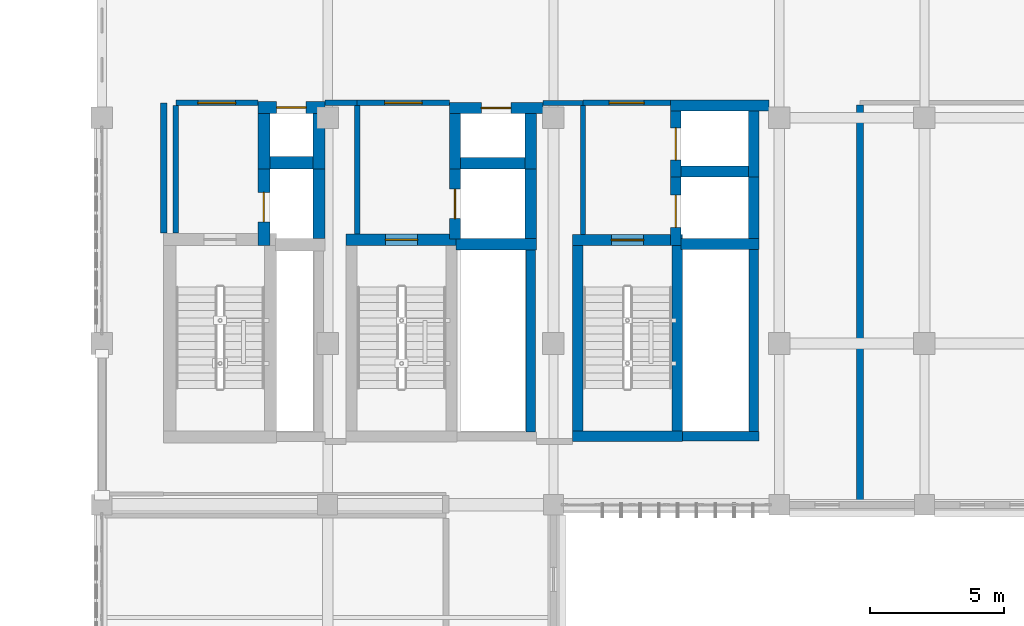
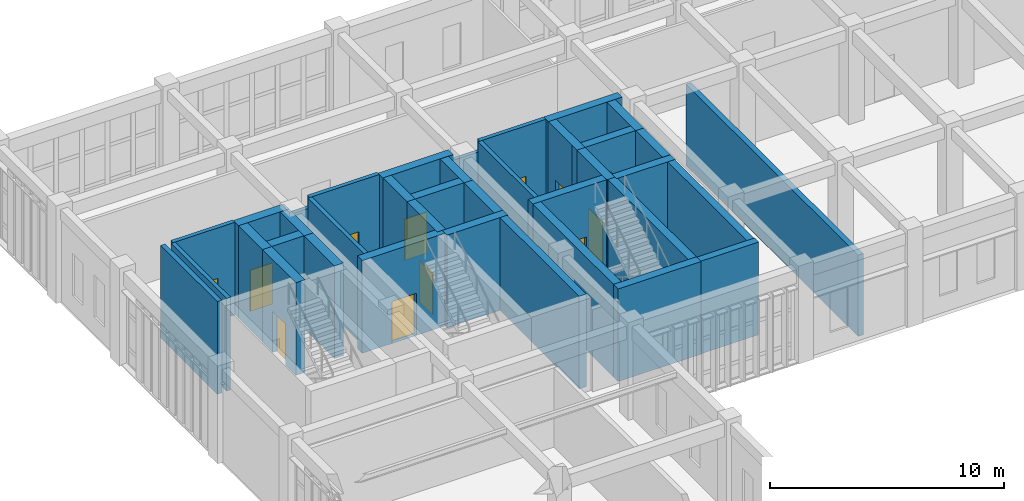
# One storey, part 67 of 77: 38 walls, 11 doors, 11 openings.
"""IFC4 building model written with IfcOpenShell, lengths in metres."""

from ifc_helpers import new_model, si_unit, direction, frame, frame_2d, origin, place, context, subcontext, project, spatial, rectangle, extrude, material, layer, layer_set, type_object, element, fill, save


model = new_model("IFC4")

# Units and contexts
model_context = context("Model", 3, precision=1e-05, world=origin(), true_north=direction((0.0, 1.0)))
body_context = subcontext(model_context, "Body", "Model", "MODEL_VIEW")
ifc_project = project(units=[si_unit("LENGTHUNIT", "METRE"), si_unit("AREAUNIT", "SQUARE_METRE"), si_unit("VOLUMEUNIT", "CUBIC_METRE"), si_unit("PLANEANGLEUNIT", "RADIAN"), si_unit("MASSUNIT", "GRAM", prefix="KILO")], contexts=[model_context])

# Site, building, storey
site_placement = place(None, origin())
site = spatial("IfcSite", under=ifc_project, at=site_placement, CompositionType="ELEMENT")
building_placement = place(site_placement, origin())
building = spatial("IfcBuilding", under=site, at=building_placement, Name="Krzemoval Escarpment Law Courts", CompositionType="ELEMENT")
storey_placement = place(building_placement, frame((0.0, 0.0, 15.300048828125)))
storey = spatial("IfcBuildingStorey", under=building, at=storey_placement, Name="L03", CompositionType="ELEMENT", Elevation=15.300048828125)

# Wall
ifc_material_1 = material(Name="Judicial Chambers Acoustic Partition", Category="gypsum")
ifc_layer_1 = layer(ifc_material_1, 0.179931640625)
ifc_layer_set_1 = layer_set([ifc_layer_1], Name="Judicial Chambers Acoustic Partition")
wall_type_1 = type_object("IfcWallType", Name="WL-PRT-180", PredefinedType="PARTITIONING", material=ifc_layer_set_1)
wall_1_placement = place(storey_placement, frame((142.405029296875, 108.550048828125, 0.0), z_axis=(0.0, 0.0, 1.0), x_axis=(1.0, 0.0, 0.0)))
element("IfcWall", 1, at=wall_1_placement, inside=storey, type_object=wall_type_1, Name="Interior Partition PW-L03-0528", PredefinedType="PARTITIONING", context=body_context, shape_type="SweptSolid", body=[
    extrude(rectangle(XDim=1.494873046875, YDim=0.179931640625, at=frame_2d((0.74755859375, 0.0))), origin(), (0.0, 0.0, 1.0), 4.2900390625),
])

# Wall, opening, door
ifc_material_2 = material(Name="Fire-Rated Corridor Partition Wall", Category="gypsum")
ifc_layer_2 = layer(ifc_material_2, 0.199951171875)
ifc_layer_set_2 = layer_set([ifc_layer_2], Name="Fire-Rated Corridor Partition Wall")
wall_type_2 = type_object("IfcWallType", Name="WL-PRT-200", PredefinedType="PARTITIONING", material=ifc_layer_set_2)
wall_2_placement = place(storey_placement, frame((128.75, 108.550048828125, 0.0), z_axis=(0.0, 0.0, 1.0), x_axis=(1.0, 0.0, 0.0)))
wall_2 = element("IfcWall", 2, at=wall_2_placement, inside=storey, type_object=wall_type_2, Name="Interior Partition PW-L03-0524", PredefinedType="PARTITIONING", context=body_context, shape_type="SweptSolid", body=[
    extrude(rectangle(XDim=3.050048828125, YDim=0.199951171875, at=frame_2d((1.52490234375, 0.0))), origin(), (0.0, 0.0, 1.0), 4.83984375),
])
opening_1_placement = place(wall_2_placement, frame((0.824951171875, 0.0, 0.0)))
opening_1 = element("IfcOpeningElement", 3, at=opening_1_placement, cuts=wall_2, Name="Opening D-L03-0165", PredefinedType="OPENING", context=body_context, shape_type="SweptSolid", body=[
    extrude(rectangle(XDim=1.39990234375, YDim=2.199951171875, at=frame_2d((0.699951171875, 1.10009765625))), frame((0.0, 0.11498, 0.0), z_axis=(0.0, -1.0, 0.0), x_axis=(1.0, 0.0, 0.0)), (0.0, 0.0, 1.0), 0.22995),
])
ifc_material_3 = material(Name="Galvanised Steel S355", Category="steel")
door_type_1 = type_object("IfcDoorType", Name="DR-FFL-1400x2200", OperationType="SINGLE_SWING_LEFT", PredefinedType="DOOR", material=ifc_material_3)
door_1_placement = place(opening_1_placement, origin())
door_1 = element("IfcDoor", 4, at=door_1_placement, inside=storey, type_object=door_type_1, Name="Room Door D-L03-0165", OperationType="SINGLE_SWING_LEFT", OverallHeight=2.199951171875, OverallWidth=1.39990234375, PredefinedType="DOOR", context=body_context, shape_type="SweptSolid", body=[
    extrude(rectangle(XDim=1.39990234375, YDim=2.199951171875, at=frame_2d((0.699951171875, 1.10009765625))), frame((0.0, 0.02490234375, 0.0), z_axis=(0.0, -1.0, 0.0), x_axis=(1.0, 0.0, 0.0)), (0.0, 0.0, 1.0), 0.050048828125),
])
fill(opening_1, door_1)

wall_3_placement = place(storey_placement, frame((135.5, 108.550048828125, 0.0), z_axis=(0.0, 0.0, 1.0), x_axis=(1.0, 0.0, 0.0)))
wall_3 = element("IfcWall", 5, at=wall_3_placement, inside=storey, type_object=wall_type_2, Name="Interior Partition PW-L03-0525", PredefinedType="PARTITIONING", context=body_context, shape_type="SweptSolid", body=[
    extrude(rectangle(XDim=3.429931640625, YDim=0.199951171875, at=frame_2d((1.71484375, 0.0))), origin(), (0.0, 0.0, 1.0), 4.83984375),
])
opening_2_placement = place(wall_3_placement, frame((1.014892578125, 0.0, 0.0)))
opening_2 = element("IfcOpeningElement", 6, at=opening_2_placement, cuts=wall_3, Name="Opening D-L03-0166", PredefinedType="OPENING", context=body_context, shape_type="SweptSolid", body=[
    extrude(rectangle(XDim=1.39990234375, YDim=2.199951171875, at=frame_2d((0.699951171875, 1.10009765625))), frame((0.0, 0.11498, 0.0), z_axis=(0.0, -1.0, 0.0), x_axis=(1.0, 0.0, 0.0)), (0.0, 0.0, 1.0), 0.22995),
])
door_2_placement = place(opening_2_placement, origin())
door_2 = element("IfcDoor", 7, at=door_2_placement, inside=storey, type_object=door_type_1, Name="Room Door D-L03-0166", OperationType="SINGLE_SWING_LEFT", OverallHeight=2.199951171875, OverallWidth=1.39990234375, PredefinedType="DOOR", context=body_context, shape_type="SweptSolid", body=[
    extrude(rectangle(XDim=1.39990234375, YDim=2.199951171875, at=frame_2d((0.699951171875, 1.10009765625))), frame((0.0, 0.02490234375, 0.0), z_axis=(0.0, -1.0, 0.0), x_axis=(1.0, 0.0, 0.0)), (0.0, 0.0, 1.0), 0.050048828125),
])
fill(opening_2, door_2)

wall_4_placement = place(storey_placement, frame((143.89990234375, 108.550048828125, 0.0), z_axis=(0.0, 0.0, 1.0), x_axis=(1.0, 0.0, 0.0)))
wall_4 = element("IfcWall", 8, at=wall_4_placement, inside=storey, type_object=wall_type_2, Name="Interior Partition PW-L03-0526", PredefinedType="PARTITIONING", context=body_context, shape_type="SweptSolid", body=[
    extrude(rectangle(XDim=3.25, YDim=0.199951171875, at=frame_2d((1.625, 0.0))), origin(), (0.0, 0.0, 1.0), 4.83984375),
])
opening_3_placement = place(wall_4_placement, frame((0.97509765625, 0.0, 0.0)))
opening_3 = element("IfcOpeningElement", 9, at=opening_3_placement, cuts=wall_4, Name="Opening D-L03-0167", PredefinedType="OPENING", context=body_context, shape_type="SweptSolid", body=[
    extrude(rectangle(XDim=1.300048828125, YDim=2.199951171875, at=frame_2d((0.64990234375, 1.10009765625))), frame((0.0, 0.11498, 0.0), z_axis=(0.0, -1.0, 0.0), x_axis=(1.0, 0.0, 0.0)), (0.0, 0.0, 1.0), 0.22995),
])
ifc_material_4 = material(Name="Galvanised Steel S355", Category="steel")
door_type_2 = type_object("IfcDoorType", Name="DR-STR-1300x2200", OperationType="SINGLE_SWING_LEFT", PredefinedType="DOOR", material=ifc_material_4)
door_3_placement = place(opening_3_placement, origin())
door_3 = element("IfcDoor", 10, at=door_3_placement, inside=storey, type_object=door_type_2, Name="Room Door D-L03-0167", OperationType="SINGLE_SWING_RIGHT", OverallHeight=2.199951171875, OverallWidth=1.300048828125, PredefinedType="DOOR", context=body_context, shape_type="SweptSolid", body=[
    extrude(rectangle(XDim=1.300048828125, YDim=2.199951171875, at=frame_2d((0.64990234375, 1.10009765625))), frame((0.0, 0.02490234375, 0.0), z_axis=(0.0, -1.0, 0.0), x_axis=(1.0, 0.0, 0.0)), (0.0, 0.0, 1.0), 0.050048828125),
])
fill(opening_3, door_3)

# Walls
wall_5_placement = place(storey_placement, frame((134.300048828125, 108.550048828125, 0.0), z_axis=(0.0, 0.0, 1.0), x_axis=(1.0, 0.0, 0.0)))
element("IfcWall", 11, at=wall_5_placement, inside=storey, type_object=wall_type_2, Name="Interior Partition PW-L03-0527", PredefinedType="PARTITIONING", context=body_context, shape_type="SweptSolid", body=[
    extrude(rectangle(XDim=1.199951171875, YDim=0.199951171875, at=frame_2d((0.60009765625, 0.0))), origin(), (0.0, 0.0, 1.0), 4.2900390625),
])
wall_6_placement = place(storey_placement, frame((128.75, 103.701904296875, 0.0), z_axis=(0.0, 0.0, 1.0), x_axis=(0.0, 1.0, 0.0)))
element("IfcWall", 12, at=wall_6_placement, inside=storey, type_object=wall_type_2, Name="Interior Partition PW-L03-0578", PredefinedType="PARTITIONING", context=body_context, shape_type="SweptSolid", body=[
    extrude(rectangle(XDim=4.74609375, YDim=0.199951171875, at=frame_2d((2.373046875, 0.0))), origin(), (0.0, 0.0, 1.0), 4.83984375),
])
wall_7_placement = place(storey_placement, frame((135.5, 103.672119140625, 0.0), z_axis=(0.0, 0.0, 1.0), x_axis=(0.0, 1.0, 0.0)))
element("IfcWall", 13, at=wall_7_placement, inside=storey, type_object=wall_type_2, Name="Interior Partition PW-L03-0579", PredefinedType="PARTITIONING", context=body_context, shape_type="SweptSolid", body=[
    extrude(rectangle(XDim=4.77587890625, YDim=0.199951171875, at=frame_2d((2.387939453125, 0.0))), origin(), (0.0, 0.0, 1.0), 4.83984375),
])
wall_8_placement = place(storey_placement, frame((143.89990234375, 103.652099609375, 0.0), z_axis=(0.0, 0.0, 1.0), x_axis=(0.0, 1.0, 0.0)))
element("IfcWall", 14, at=wall_8_placement, inside=storey, type_object=wall_type_2, Name="Interior Partition PW-L03-0582", PredefinedType="PARTITIONING", context=body_context, shape_type="SweptSolid", body=[
    extrude(rectangle(XDim=4.7958984375, YDim=0.199951171875, at=frame_2d((2.39794921875, 0.0))), origin(), (0.0, 0.0, 1.0), 4.83984375),
])
ifc_material_5 = material(Name="Acoustic Calcium-Silicate Block Wall", Category="masonry")
ifc_layer_3 = layer(ifc_material_5, 0.22998046875)
ifc_layer_set_3 = layer_set([ifc_layer_3], Name="Acoustic Calcium-Silicate Block Wall")
wall_type_3 = type_object("IfcWallType", Name="WL-PRT-230", PredefinedType="SOLIDWALL", material=ifc_layer_set_3)
wall_9_placement = place(storey_placement, frame((128.300048828125, 103.701904296875, 0.0), z_axis=(0.0, 0.0, 1.0), x_axis=(0.0, 1.0, 0.0)))
element("IfcWall", 15, at=wall_9_placement, inside=storey, type_object=wall_type_3, Name="Interior Partition PW-L03-0577", PredefinedType="SOLIDWALL", context=body_context, shape_type="SweptSolid", body=[
    extrude(rectangle(XDim=4.84814453125, YDim=0.22998046875, at=frame_2d((2.424072265625, 0.0))), origin(), (0.0, 0.0, 1.0), 4.83984375),
])
ifc_material_6 = material(Name="Acoustic Double-Stud Gypsum and Mineral Wool Wall", Category="gypsum")
ifc_layer_4 = layer(ifc_material_6, 0.260009765625)
ifc_layer_set_4 = layer_set([ifc_layer_4], Name="Acoustic Double-Stud Gypsum and Mineral Wool Wall")
wall_type_4 = type_object("IfcWallType", Name="WL-PRT-260", PredefinedType="PARTITIONING", material=ifc_layer_set_4)
wall_10_placement = place(storey_placement, frame((154.199951171875, 93.73193359375, 0.0), z_axis=(0.0, 0.0, 1.0), x_axis=(0.0, 1.0, 0.0)))
element("IfcWall", 16, at=wall_10_placement, inside=storey, type_object=wall_type_4, Name="Interior Partition PW-L03-0587", PredefinedType="PARTITIONING", context=body_context, shape_type="SweptSolid", body=[
    extrude(rectangle(XDim=14.736083984375, YDim=0.260009765625, at=frame_2d((7.3681640625, 0.0))), origin(), (0.0, 0.0, 1.0), 4.239990234375),
])
ifc_material_7 = material(Name="Concrete C40/50", Category="concrete")
ifc_layer_5 = layer(ifc_material_7, 0.35009765625)
ifc_layer_set_5 = layer_set([ifc_layer_5], Name="Concrete C40/50")
wall_type_5 = type_object("IfcWallType", Name="WL-SHW-350", PredefinedType="SHEAR", material=ifc_layer_set_5)
wall_11_placement = place(storey_placement, frame((141.9599609375, 96.31005859375, 0.0), z_axis=(0.0, 0.0, 1.0), x_axis=(0.0, 1.0, 0.0)))
element("IfcWall", 17, at=wall_11_placement, inside=storey, type_object=wall_type_5, Name="Riser Shaft Wall SW-L03-0215", PredefinedType="SHEAR", context=body_context, shape_type="SweptSolid", body=[
    extrude(rectangle(XDim=7.197021484375, YDim=0.35009765625, at=frame_2d((3.5986328125, 0.0))), origin(), (0.0, 0.0, 1.0), 4.83984375),
])
wall_12_placement = place(storey_placement, frame((147.60009765625, 96.14990234375, 0.0), z_axis=(0.0, 0.0, 1.0), x_axis=(1.0, 0.0, 0.0)))
element("IfcWall", 18, at=wall_12_placement, inside=storey, type_object=wall_type_5, Name="Riser Shaft Wall SW-L03-0364", PredefinedType="SHEAR", context=body_context, shape_type="SweptSolid", body=[
    extrude(rectangle(XDim=2.849853515625, YDim=0.35009765625, at=frame_2d((1.4248046875, 0.0))), origin(), (0.0, 0.0, 1.0), 4.83984375),
])
wall_13_placement = place(storey_placement, frame((150.25, 96.320068359375, 0.0), z_axis=(0.0, 0.0, 1.0), x_axis=(0.0, 1.0, 0.0)))
element("IfcWall", 19, at=wall_13_placement, inside=storey, type_object=wall_type_5, Name="Riser Shaft Wall SW-L03-0365", PredefinedType="SHEAR", context=body_context, shape_type="SweptSolid", body=[
    extrude(rectangle(XDim=7.18701171875, YDim=0.35009765625, at=frame_2d((3.593505859375, 0.0))), origin(), (0.0, 0.0, 1.0), 4.83984375),
])

# Wall, opening, door
ifc_material_8 = material(Name="Concrete C40/50", Category="concrete")
ifc_layer_6 = layer(ifc_material_8, 0.39990234375)
ifc_layer_set_6 = layer_set([ifc_layer_6], Name="Concrete C40/50")
wall_type_6 = type_object("IfcWallType", Name="WL-SHW-400", PredefinedType="SHEAR", material=ifc_layer_set_6)
wall_14_placement = place(storey_placement, frame((143.5, 103.449951171875, 0.0), z_axis=(0.0, 0.0, 1.0), x_axis=(1.0, 0.0, 0.0)))
wall_14 = element("IfcWall", 20, at=wall_14_placement, inside=storey, type_object=wall_type_6, Name="Core Stair Shear Wall SW-L03-0353", PredefinedType="SHEAR", context=body_context, shape_type="SweptSolid", body=[
    extrude(rectangle(XDim=4.10009765625, YDim=0.39990234375, at=frame_2d((2.050048828125, 0.0))), origin(), (0.0, 0.0, 1.0), 4.83984375),
])
opening_4_placement = place(wall_14_placement, frame((1.449951171875, 0.0, 0.0)))
opening_4 = element("IfcOpeningElement", 21, at=opening_4_placement, cuts=wall_14, Name="Opening SD-ST3-L03", PredefinedType="OPENING", context=body_context, shape_type="SweptSolid", body=[
    extrude(rectangle(XDim=1.199951171875, YDim=2.199951171875, at=frame_2d((0.60009765625, 1.10009765625))), frame((0.0, 0.21495, 0.0), z_axis=(0.0, -1.0, 0.0), x_axis=(1.0, 0.0, 0.0)), (0.0, 0.0, 1.0), 0.4299),
])
ifc_material_9 = material(Name="Galvanised Steel S355", Category="steel")
door_type_3 = type_object("IfcDoorType", Name="DR-STR-1200x2200", OperationType="SINGLE_SWING_LEFT", PredefinedType="DOOR", material=ifc_material_9)
door_4_placement = place(opening_4_placement, origin())
door_4 = element("IfcDoor", 22, at=door_4_placement, inside=storey, type_object=door_type_3, Name="Stair Exit Door SD-ST3-L03", OperationType="SINGLE_SWING_RIGHT", OverallHeight=2.199951171875, OverallWidth=1.199951171875, PredefinedType="DOOR", context=body_context, shape_type="SweptSolid", body=[
    extrude(rectangle(XDim=1.199951171875, YDim=2.199951171875, at=frame_2d((0.60009765625, 1.10009765625))), frame((0.0, 0.02490234375, 0.0), z_axis=(0.0, -1.0, 0.0), x_axis=(1.0, 0.0, 0.0)), (0.0, 0.0, 1.0), 0.050048828125),
])
fill(opening_4, door_4)

# Walls
wall_15_placement = place(storey_placement, frame((143.5, 96.14990234375, 0.0), z_axis=(0.0, 0.0, 1.0), x_axis=(1.0, 0.0, 0.0)))
element("IfcWall", 23, at=wall_15_placement, inside=storey, type_object=wall_type_6, Name="Core Stair Shear Wall SW-L03-0354", PredefinedType="SHEAR", context=body_context, shape_type="SweptSolid", body=[
    extrude(rectangle(XDim=4.10009765625, YDim=0.39990234375, at=frame_2d((2.050048828125, 0.0))), origin(), (0.0, 0.0, 1.0), 4.83984375),
])
for number, where, z_axis, x_axis, name in (
    (24, (143.699951171875, 96.35205078125, 0.0), (0.0, 0.0, 1.0), (0.0, 1.0, 0.0), "Core Stair Shear Wall SW-L03-0355"),
    (25, (147.39990234375, 96.35205078125, 0.0), (0.0, 0.0, 1.0), (0.0, 1.0, 0.0), "Core Stair Shear Wall SW-L03-0356"),
):
    element("IfcWall", number, at=place(storey_placement, frame(where, z_axis=z_axis, x_axis=x_axis)), inside=storey, type_object=wall_type_6, Name=name, PredefinedType="SHEAR", context=body_context, shape_type="SweptSolid", body=[
        extrude(rectangle(XDim=6.89599609375, YDim=0.39990234375, at=frame_2d((3.447998046875, 0.0))), origin(), (0.0, 0.0, 1.0), 4.83984375),
    ])
wall_16_placement = place(storey_placement, frame((147.54296875, 103.300048828125, 0.0), z_axis=(0.0, 0.0, 1.0), x_axis=(1.0, 0.0, 0.0)))
element("IfcWall", 26, at=wall_16_placement, inside=storey, type_object=wall_type_6, Name="Lift Shaft Shear Wall SW-L03-0357", PredefinedType="SHEAR", context=body_context, shape_type="SweptSolid", body=[
    extrude(rectangle(XDim=2.906982421875, YDim=0.39990234375, at=frame_2d((1.45361328125, 0.0))), origin(), (0.0, 0.0, 1.0), 4.83984375),
])
wall_17_placement = place(storey_placement, frame((147.14990234375, 106.0, 0.0), z_axis=(0.0, 0.0, 1.0), x_axis=(1.0, 0.0, 0.0)))
element("IfcWall", 27, at=wall_17_placement, inside=storey, type_object=wall_type_6, Name="Lift Shaft Shear Wall SW-L03-0358", PredefinedType="SHEAR", context=body_context, shape_type="SweptSolid", body=[
    extrude(rectangle(XDim=3.300048828125, YDim=0.39990234375, at=frame_2d((1.64990234375, 0.0))), origin(), (0.0, 0.0, 1.0), 4.83984375),
])

# Wall, opening, door
wall_18_placement = place(storey_placement, frame((147.35009765625, 103.242919921875, 0.0), z_axis=(0.0, 0.0, 1.0), x_axis=(0.0, 1.0, 0.0)))
wall_18 = element("IfcWall", 28, at=wall_18_placement, inside=storey, type_object=wall_type_6, Name="Lift Shaft Shear Wall SW-L03-0359", PredefinedType="SHEAR", context=body_context, shape_type="SweptSolid", body=[
    extrude(rectangle(XDim=2.55517578125, YDim=0.39990234375, at=frame_2d((1.277587890625, 0.0))), origin(), (0.0, 0.0, 1.0), 4.83984375),
])
opening_5_placement = place(wall_18_placement, frame((0.677978515625, 0.0, 0.0)))
opening_5 = element("IfcOpeningElement", 29, at=opening_5_placement, cuts=wall_18, Name="Opening LD-PL1-L03", PredefinedType="OPENING", context=body_context, shape_type="SweptSolid", body=[
    extrude(rectangle(XDim=1.199951171875, YDim=2.14990234375, at=frame_2d((0.60009765625, 1.074951171875))), frame((0.0, 0.21495, 0.0), z_axis=(0.0, -1.0, 0.0), x_axis=(1.0, 0.0, 0.0)), (0.0, 0.0, 1.0), 0.4299),
])
ifc_material_10 = material(Name="Engineered Solid-Core Oak Acoustic Timber", Category="wood")
door_type_4 = type_object("IfcDoorType", Name="DR-LFT-1200x2150", OperationType="SINGLE_SWING_LEFT", PredefinedType="DOOR", material=ifc_material_10)
door_5_placement = place(opening_5_placement, origin())
door_5 = element("IfcDoor", 30, at=door_5_placement, inside=storey, type_object=door_type_4, Name="Lift Landing Door LD-PL1-L03", OperationType="DOUBLE_DOOR_SLIDING", OverallHeight=2.14990234375, OverallWidth=1.199951171875, PredefinedType="DOOR", context=body_context, shape_type="SweptSolid", body=[
    extrude(rectangle(XDim=1.199951171875, YDim=2.14990234375, at=frame_2d((0.60009765625, 1.074951171875))), frame((0.0, 0.02490234375, 0.0), z_axis=(0.0, -1.0, 0.0), x_axis=(1.0, 0.0, 0.0)), (0.0, 0.0, 1.0), 0.050048828125),
])
fill(opening_5, door_5)

# Walls
wall_19_placement = place(storey_placement, frame((150.25, 103.501953125, 0.0), z_axis=(0.0, 0.0, 1.0), x_axis=(0.0, 1.0, 0.0)))
element("IfcWall", 31, at=wall_19_placement, inside=storey, type_object=wall_type_6, Name="Lift Shaft Shear Wall SW-L03-0360", PredefinedType="SHEAR", context=body_context, shape_type="SweptSolid", body=[
    extrude(rectangle(XDim=2.296142578125, YDim=0.39990234375, at=frame_2d((1.14794921875, 0.0))), origin(), (0.0, 0.0, 1.0), 4.83984375),
])
wall_20_placement = place(storey_placement, frame((147.14990234375, 108.449951171875, 0.0), z_axis=(0.0, 0.0, 1.0), x_axis=(1.0, 0.0, 0.0)))
element("IfcWall", 32, at=wall_20_placement, inside=storey, type_object=wall_type_6, Name="Lift Shaft Shear Wall SW-L03-0361", PredefinedType="SHEAR", context=body_context, shape_type="SweptSolid", body=[
    extrude(rectangle(XDim=3.6591796875, YDim=0.39990234375, at=frame_2d((1.82958984375, 0.0))), origin(), (0.0, 0.0, 1.0), 4.83984375),
])

# Wall, opening, door
wall_21_placement = place(storey_placement, frame((147.35009765625, 105.79296875, 0.0), z_axis=(0.0, 0.0, 1.0), x_axis=(0.0, 1.0, 0.0)))
wall_21 = element("IfcWall", 33, at=wall_21_placement, inside=storey, type_object=wall_type_6, Name="Lift Shaft Shear Wall SW-L03-0362", PredefinedType="SHEAR", context=body_context, shape_type="SweptSolid", body=[
    extrude(rectangle(XDim=2.455078125, YDim=0.39990234375, at=frame_2d((1.2275390625, 0.0))), origin(), (0.0, 0.0, 1.0), 4.83984375),
])
opening_6_placement = place(wall_21_placement, frame((0.626953125, 0.0, 0.0)))
opening_6 = element("IfcOpeningElement", 34, at=opening_6_placement, cuts=wall_21, Name="Opening LD-PL2-L03", PredefinedType="OPENING", context=body_context, shape_type="SweptSolid", body=[
    extrude(rectangle(XDim=1.199951171875, YDim=2.14990234375, at=frame_2d((0.60009765625, 1.074951171875))), frame((0.0, 0.21495, 0.0), z_axis=(0.0, -1.0, 0.0), x_axis=(1.0, 0.0, 0.0)), (0.0, 0.0, 1.0), 0.4299),
])
door_6_placement = place(opening_6_placement, origin())
door_6 = element("IfcDoor", 35, at=door_6_placement, inside=storey, type_object=door_type_4, Name="Lift Landing Door LD-PL2-L03", OperationType="DOUBLE_DOOR_SLIDING", OverallHeight=2.14990234375, OverallWidth=1.199951171875, PredefinedType="DOOR", context=body_context, shape_type="SweptSolid", body=[
    extrude(rectangle(XDim=1.199951171875, YDim=2.14990234375, at=frame_2d((0.60009765625, 1.074951171875))), frame((0.0, 0.02490234375, 0.0), z_axis=(0.0, -1.0, 0.0), x_axis=(1.0, 0.0, 0.0)), (0.0, 0.0, 1.0), 0.050048828125),
])
fill(opening_6, door_6)

# Wall
wall_22_placement = place(storey_placement, frame((150.25, 105.79296875, 0.0), z_axis=(0.0, 0.0, 1.0), x_axis=(0.0, 1.0, 0.0)))
element("IfcWall", 36, at=wall_22_placement, inside=storey, type_object=wall_type_6, Name="Lift Shaft Shear Wall SW-L03-0363", PredefinedType="SHEAR", context=body_context, shape_type="SweptSolid", body=[
    extrude(rectangle(XDim=2.455078125, YDim=0.39990234375, at=frame_2d((1.2275390625, 0.0))), origin(), (0.0, 0.0, 1.0), 4.83984375),
])

# Wall, opening, door
ifc_material_11 = material(Name="Concrete C40/50", Category="concrete")
ifc_layer_7 = layer(ifc_material_11, 0.419921875)
ifc_layer_set_7 = layer_set([ifc_layer_7], Name="Concrete C40/50")
wall_type_7 = type_object("IfcWallType", Name="WL-SHW-420", PredefinedType="SHEAR", material=ifc_layer_set_7)
wall_23_placement = place(storey_placement, frame((135.080078125, 103.4599609375, 0.0), z_axis=(0.0, 0.0, 1.0), x_axis=(1.0, 0.0, 0.0)))
wall_23 = element("IfcWall", 37, at=wall_23_placement, inside=storey, type_object=wall_type_7, Name="Core Stair Shear Wall SW-L03-0203", PredefinedType="SHEAR", context=body_context, shape_type="SweptSolid", body=[
    extrude(rectangle(XDim=4.139892578125, YDim=0.419921875, at=frame_2d((2.06982421875, 0.0))), origin(), (0.0, 0.0, 1.0), 4.83984375),
])
opening_7_placement = place(wall_23_placement, frame((1.469970703125, 0.0, 0.0)))
opening_7 = element("IfcOpeningElement", 38, at=opening_7_placement, cuts=wall_23, Name="Opening SD-ST2-L03", PredefinedType="OPENING", context=body_context, shape_type="SweptSolid", body=[
    extrude(rectangle(XDim=1.199951171875, YDim=2.199951171875, at=frame_2d((0.60009765625, 1.10009765625))), frame((0.0, 0.22496, 0.0), z_axis=(0.0, -1.0, 0.0), x_axis=(1.0, 0.0, 0.0)), (0.0, 0.0, 1.0), 0.44992),
])
door_7_placement = place(opening_7_placement, origin())
door_7 = element("IfcDoor", 39, at=door_7_placement, inside=storey, type_object=door_type_3, Name="Stair Exit Door SD-ST2-L03", OperationType="SINGLE_SWING_LEFT", OverallHeight=2.199951171875, OverallWidth=1.199951171875, PredefinedType="DOOR", context=body_context, shape_type="SweptSolid", body=[
    extrude(rectangle(XDim=1.199951171875, YDim=2.199951171875, at=frame_2d((0.60009765625, 1.10009765625))), frame((0.0, 0.02490234375, 0.0), z_axis=(0.0, -1.0, 0.0), x_axis=(1.0, 0.0, 0.0)), (0.0, 0.0, 1.0), 0.050048828125),
])
fill(opening_7, door_7)

# Walls
wall_24_placement = place(storey_placement, frame((139.173095703125, 103.2900390625, 0.0), z_axis=(0.0, 0.0, 1.0), x_axis=(1.0, 0.0, 0.0)))
element("IfcWall", 40, at=wall_24_placement, inside=storey, type_object=wall_type_7, Name="Lift Shaft Shear Wall SW-L03-0207", PredefinedType="SHEAR", context=body_context, shape_type="SweptSolid", body=[
    extrude(rectangle(XDim=2.996826171875, YDim=0.419921875, at=frame_2d((1.49853515625, 0.0))), origin(), (0.0, 0.0, 1.0), 4.83984375),
])
wall_25_placement = place(storey_placement, frame((138.929931640625, 106.31005859375, 0.0), z_axis=(0.0, 0.0, 1.0), x_axis=(1.0, 0.0, 0.0)))
element("IfcWall", 41, at=wall_25_placement, inside=storey, type_object=wall_type_7, Name="Lift Shaft Shear Wall SW-L03-0208", PredefinedType="SHEAR", context=body_context, shape_type="SweptSolid", body=[
    extrude(rectangle(XDim=3.239990234375, YDim=0.419921875, at=frame_2d((1.6201171875, 0.0))), origin(), (0.0, 0.0, 1.0), 4.83984375),
])

# Wall, opening, door
wall_26_placement = place(storey_placement, frame((139.139892578125, 103.491943359375, 0.0), z_axis=(0.0, 0.0, 1.0), x_axis=(0.0, 1.0, 0.0)))
wall_26 = element("IfcWall", 42, at=wall_26_placement, inside=storey, type_object=wall_type_7, Name="Lift Shaft Shear Wall SW-L03-0209", PredefinedType="SHEAR", context=body_context, shape_type="SweptSolid", body=[
    extrude(rectangle(XDim=2.60595703125, YDim=0.419921875, at=frame_2d((1.302978515625, 0.0))), origin(), (0.0, 0.0, 1.0), 4.83984375),
])
opening_8_placement = place(wall_26_placement, frame((0.7529296875, 0.0, 0.0)))
opening_8 = element("IfcOpeningElement", 43, at=opening_8_placement, cuts=wall_26, Name="Opening LD-FL2-L03", PredefinedType="OPENING", context=body_context, shape_type="SweptSolid", body=[
    extrude(rectangle(XDim=1.10009765625, YDim=2.14990234375, at=frame_2d((0.550048828125, 1.074951171875))), frame((0.0, 0.22496, 0.0), z_axis=(0.0, -1.0, 0.0), x_axis=(1.0, 0.0, 0.0)), (0.0, 0.0, 1.0), 0.44992),
])
ifc_material_12 = material(Name="Stainless Steel Grade 304", Category="steel")
door_type_5 = type_object("IfcDoorType", Name="DR-LFT-1100x2150", OperationType="SINGLE_SWING_LEFT", PredefinedType="DOOR", material=ifc_material_12)
door_8_placement = place(opening_8_placement, origin())
door_8 = element("IfcDoor", 44, at=door_8_placement, inside=storey, type_object=door_type_5, Name="Lift Landing Door LD-FL2-L03", OperationType="DOUBLE_DOOR_SLIDING", OverallHeight=2.14990234375, OverallWidth=1.10009765625, PredefinedType="DOOR", context=body_context, shape_type="SweptSolid", body=[
    extrude(rectangle(XDim=1.10009765625, YDim=2.14990234375, at=frame_2d((0.550048828125, 1.074951171875))), frame((0.0, 0.02490234375, 0.0), z_axis=(0.0, -1.0, 0.0), x_axis=(1.0, 0.0, 0.0)), (0.0, 0.0, 1.0), 0.050048828125),
])
fill(opening_8, door_8)

# Wall
wall_27_placement = place(storey_placement, frame((141.9599609375, 103.501953125, 0.0), z_axis=(0.0, 0.0, 1.0), x_axis=(0.0, 1.0, 0.0)))
element("IfcWall", 45, at=wall_27_placement, inside=storey, type_object=wall_type_7, Name="Lift Shaft Shear Wall SW-L03-0210", PredefinedType="SHEAR", context=body_context, shape_type="SweptSolid", body=[
    extrude(rectangle(XDim=2.595947265625, YDim=0.419921875, at=frame_2d((1.2978515625, 0.0))), origin(), (0.0, 0.0, 1.0), 4.83984375),
])

# Wall, opening, door
wall_28_placement = place(storey_placement, frame((138.929931640625, 108.360107421875, 0.0), z_axis=(0.0, 0.0, 1.0), x_axis=(1.0, 0.0, 0.0)))
wall_28 = element("IfcWall", 46, at=wall_28_placement, inside=storey, type_object=wall_type_7, Name="Lift Shaft Shear Wall SW-L03-0211", PredefinedType="SHEAR", context=body_context, shape_type="SweptSolid", body=[
    extrude(rectangle(XDim=3.47509765625, YDim=0.419921875, at=frame_2d((1.737548828125, 0.0))), origin(), (0.0, 0.0, 1.0), 4.83984375),
])
opening_9_placement = place(wall_28_placement, frame((1.18701171875, 0.0, 0.0)))
opening_9 = element("IfcOpeningElement", 47, at=opening_9_placement, cuts=wall_28, Name="Opening LD-JL2-L03", PredefinedType="OPENING", context=body_context, shape_type="SweptSolid", body=[
    extrude(rectangle(XDim=1.10009765625, YDim=2.14990234375, at=frame_2d((0.550048828125, 1.074951171875))), frame((0.0, 0.22496, 0.0), z_axis=(0.0, -1.0, 0.0), x_axis=(1.0, 0.0, 0.0)), (0.0, 0.0, 1.0), 0.44992),
])
door_9_placement = place(opening_9_placement, origin())
door_9 = element("IfcDoor", 48, at=door_9_placement, inside=storey, type_object=door_type_5, Name="Lift Landing Door LD-JL2-L03", OperationType="DOUBLE_DOOR_SLIDING", OverallHeight=2.14990234375, OverallWidth=1.10009765625, PredefinedType="DOOR", context=body_context, shape_type="SweptSolid", body=[
    extrude(rectangle(XDim=1.10009765625, YDim=2.14990234375, at=frame_2d((0.550048828125, 1.074951171875))), frame((0.0, 0.02490234375, 0.0), z_axis=(0.0, -1.0, 0.0), x_axis=(1.0, 0.0, 0.0)), (0.0, 0.0, 1.0), 0.050048828125),
])
fill(opening_9, door_9)

# Walls
for number, where, z_axis, x_axis, name in (
    (49, (139.139892578125, 106.093017578125, 0.0), (0.0, 0.0, 1.0), (0.0, 1.0, 0.0), "Lift Shaft Shear Wall SW-L03-0212"),
    (50, (141.9599609375, 106.093017578125, 0.0), (0.0, 0.0, 1.0), (0.0, 1.0, 0.0), "Lift Shaft Shear Wall SW-L03-0213"),
):
    element("IfcWall", number, at=place(storey_placement, frame(where, z_axis=z_axis, x_axis=x_axis)), inside=storey, type_object=wall_type_7, Name=name, PredefinedType="SHEAR", context=body_context, shape_type="SweptSolid", body=[
        extrude(rectangle(XDim=2.054931640625, YDim=0.419921875, at=frame_2d((1.02734375, 0.0))), origin(), (0.0, 0.0, 1.0), 4.83984375),
    ])
ifc_material_13 = material(Name="Concrete C40/50", Category="concrete")
ifc_layer_8 = layer(ifc_material_13, 0.449951171875)
ifc_layer_set_8 = layer_set([ifc_layer_8], Name="Concrete C40/50")
wall_type_8 = type_object("IfcWallType", Name="WL-SHW-450", PredefinedType="SHEAR", material=ifc_layer_set_8)
wall_29_placement = place(storey_placement, frame((131.800048828125, 106.324951171875, 0.0), z_axis=(0.0, 0.0, 1.0), x_axis=(1.0, 0.0, 0.0)))
element("IfcWall", 51, at=wall_29_placement, inside=storey, type_object=wall_type_8, Name="Lift Shaft Shear Wall SW-L03-0058", PredefinedType="SHEAR", context=body_context, shape_type="SweptSolid", body=[
    extrude(rectangle(XDim=2.5, YDim=0.449951171875, at=frame_2d((1.25, 0.0))), origin(), (0.0, 0.0, 1.0), 4.83984375),
])

# Wall, opening, door
wall_30_placement = place(storey_placement, frame((132.02490234375, 103.241943359375, 0.0), z_axis=(0.0, 0.0, 1.0), x_axis=(0.0, 1.0, 0.0)))
wall_30 = element("IfcWall", 52, at=wall_30_placement, inside=storey, type_object=wall_type_8, Name="Lift Shaft Shear Wall SW-L03-0059", PredefinedType="SHEAR", context=body_context, shape_type="SweptSolid", body=[
    extrude(rectangle(XDim=2.85595703125, YDim=0.449951171875, at=frame_2d((1.427978515625, 0.0))), origin(), (0.0, 0.0, 1.0), 4.83984375),
])
opening_10_placement = place(wall_30_placement, frame((0.8779296875, 0.0, 0.0)))
opening_10 = element("IfcOpeningElement", 53, at=opening_10_placement, cuts=wall_30, Name="Opening LD-FL1-L03", PredefinedType="OPENING", context=body_context, shape_type="SweptSolid", body=[
    extrude(rectangle(XDim=1.10009765625, YDim=2.14990234375, at=frame_2d((0.550048828125, 1.074951171875))), frame((0.0, 0.23998, 0.0), z_axis=(0.0, -1.0, 0.0), x_axis=(1.0, 0.0, 0.0)), (0.0, 0.0, 1.0), 0.47995),
])
door_10_placement = place(opening_10_placement, origin())
door_10 = element("IfcDoor", 54, at=door_10_placement, inside=storey, type_object=door_type_5, Name="Lift Landing Door LD-FL1-L03", OperationType="DOUBLE_DOOR_SLIDING", OverallHeight=2.14990234375, OverallWidth=1.10009765625, PredefinedType="DOOR", context=body_context, shape_type="SweptSolid", body=[
    extrude(rectangle(XDim=1.10009765625, YDim=2.14990234375, at=frame_2d((0.550048828125, 1.074951171875))), frame((0.0, 0.02490234375, 0.0), z_axis=(0.0, -1.0, 0.0), x_axis=(1.0, 0.0, 0.0)), (0.0, 0.0, 1.0), 0.050048828125),
])
fill(opening_10, door_10)

# Wall
wall_31_placement = place(storey_placement, frame((134.074951171875, 103.501953125, 0.0), z_axis=(0.0, 0.0, 1.0), x_axis=(0.0, 1.0, 0.0)))
element("IfcWall", 55, at=wall_31_placement, inside=storey, type_object=wall_type_8, Name="Lift Shaft Shear Wall SW-L03-0060", PredefinedType="SHEAR", context=body_context, shape_type="SweptSolid", body=[
    extrude(rectangle(XDim=2.595947265625, YDim=0.449951171875, at=frame_2d((1.2978515625, 0.0))), origin(), (0.0, 0.0, 1.0), 4.83984375),
])

# Wall, opening, door
wall_32_placement = place(storey_placement, frame((131.800048828125, 108.375, 0.0), z_axis=(0.0, 0.0, 1.0), x_axis=(1.0, 0.0, 0.0)))
wall_32 = element("IfcWall", 56, at=wall_32_placement, inside=storey, type_object=wall_type_8, Name="Lift Shaft Shear Wall SW-L03-0061", PredefinedType="SHEAR", context=body_context, shape_type="SweptSolid", body=[
    extrude(rectangle(XDim=2.5, YDim=0.449951171875, at=frame_2d((1.25, 0.0))), origin(), (0.0, 0.0, 1.0), 4.83984375),
])
opening_11_placement = place(wall_32_placement, frame((0.699951171875, 0.0, 0.0)))
opening_11 = element("IfcOpeningElement", 57, at=opening_11_placement, cuts=wall_32, Name="Opening LD-JL1-L03", PredefinedType="OPENING", context=body_context, shape_type="SweptSolid", body=[
    extrude(rectangle(XDim=1.10009765625, YDim=2.14990234375, at=frame_2d((0.550048828125, 1.074951171875))), frame((0.0, 0.23998, 0.0), z_axis=(0.0, -1.0, 0.0), x_axis=(1.0, 0.0, 0.0)), (0.0, 0.0, 1.0), 0.47995),
])
door_11_placement = place(opening_11_placement, origin())
door_11 = element("IfcDoor", 58, at=door_11_placement, inside=storey, type_object=door_type_5, Name="Lift Landing Door LD-JL1-L03", OperationType="DOUBLE_DOOR_SLIDING", OverallHeight=2.14990234375, OverallWidth=1.10009765625, PredefinedType="DOOR", context=body_context, shape_type="SweptSolid", body=[
    extrude(rectangle(XDim=1.10009765625, YDim=2.14990234375, at=frame_2d((0.550048828125, 1.074951171875))), frame((0.0, 0.02490234375, 0.0), z_axis=(0.0, -1.0, 0.0), x_axis=(1.0, 0.0, 0.0)), (0.0, 0.0, 1.0), 0.050048828125),
])
fill(opening_11, door_11)

# Walls
for number, where, z_axis, x_axis, name in (
    (59, (132.02490234375, 106.093017578125, 0.0), (0.0, 0.0, 1.0), (0.0, 1.0, 0.0), "Lift Shaft Shear Wall SW-L03-0062"),
    (60, (134.074951171875, 106.093017578125, 0.0), (0.0, 0.0, 1.0), (0.0, 1.0, 0.0), "Lift Shaft Shear Wall SW-L03-0063"),
):
    element("IfcWall", number, at=place(storey_placement, frame(where, z_axis=z_axis, x_axis=x_axis)), inside=storey, type_object=wall_type_8, Name=name, PredefinedType="SHEAR", context=body_context, shape_type="SweptSolid", body=[
        extrude(rectangle(XDim=2.054931640625, YDim=0.449951171875, at=frame_2d((1.02734375, 0.0))), origin(), (0.0, 0.0, 1.0), 4.83984375),
    ])

save(model, "model.ifc")
